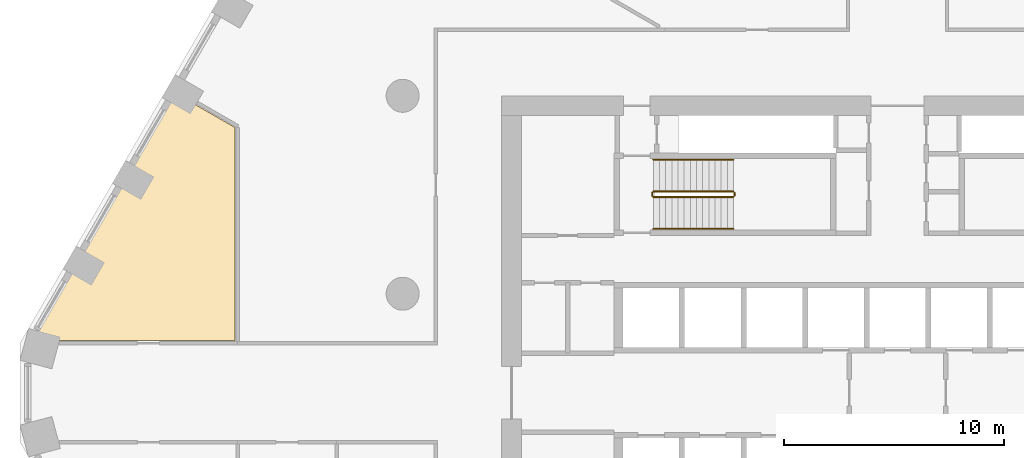
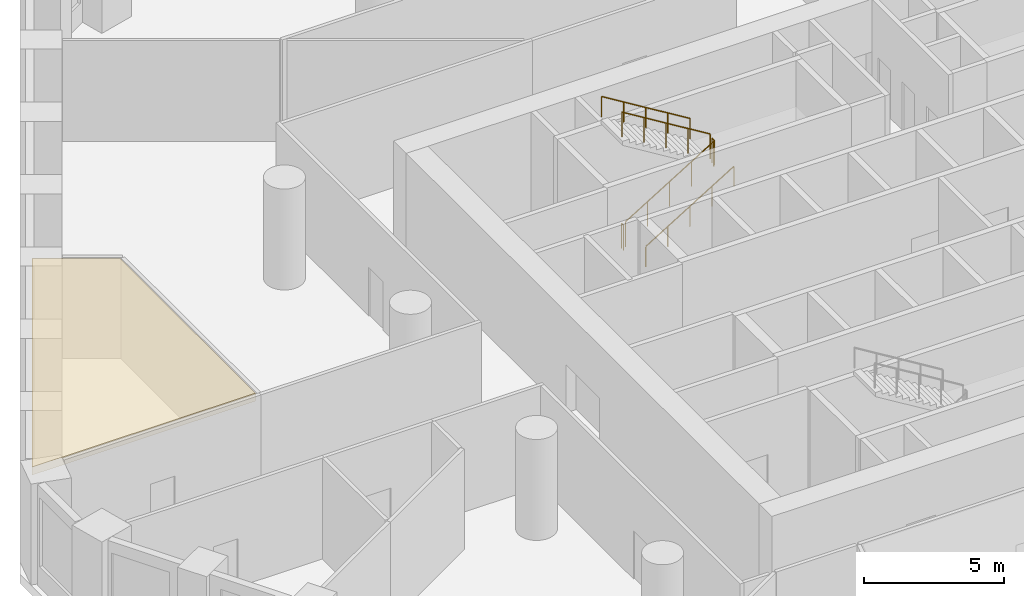
# One storey, part 20 of 26: 6 railings, 1 covering.
"""IFC4 building model written with IfcOpenShell, lengths in metres."""

from ifc_helpers import new_model, si_unit, direction, frame, origin, origin_2d, place, context, subcontext, project, spatial, polyline, circle, outline, extrude, material, layer, layer_set, type_object, element, save


model = new_model("IFC4")

# Units and contexts
model_context = context("Model", 3, precision=1e-05, world=origin(), true_north=direction((0.0, 1.0)))
body_context = subcontext(model_context, "Body", "Model", "MODEL_VIEW")
ifc_project = project(units=[si_unit("LENGTHUNIT", "METRE"), si_unit("AREAUNIT", "SQUARE_METRE"), si_unit("VOLUMEUNIT", "CUBIC_METRE"), si_unit("PLANEANGLEUNIT", "RADIAN"), si_unit("MASSUNIT", "GRAM", prefix="KILO")], contexts=[model_context])

# Site, building, storey
site_placement = place(None, origin())
site = spatial("IfcSite", under=ifc_project, at=site_placement, CompositionType="ELEMENT")
building_placement = place(site_placement, origin())
building = spatial("IfcBuilding", under=site, at=building_placement, Name="Dhurran Vertical Campus", CompositionType="ELEMENT")
storey_placement = place(building_placement, frame((0.0, 0.0, 15.60009765625)))
storey = spatial("IfcBuildingStorey", under=building, at=storey_placement, Name="L03", CompositionType="ELEMENT", Elevation=15.60009765625)

# Railings
ifc_material_1 = material(Name="Stainless steel balustrade", Category="steel")
railing_type_1 = type_object("IfcRailingType", Name="co-RL-GUARD-1100", PredefinedType="GUARDRAIL", material=ifc_material_1)
railing_1_placement = place(storey_placement, frame((-11.10009765625, 8.89990234375, 0.17138671875)))
element("IfcRailing", 1, at=railing_1_placement, inside=storey, type_object=railing_type_1, Name="L03 ST1 stair guard 1", PredefinedType="GUARDRAIL", context=body_context, shape_type="SweptSolid", body=[
    extrude(circle(Radius=0.02392578125, at=origin_2d()), frame((0.0, 0.0, 1.076171875), z_axis=(0.852865859571, 0.0, 0.52213008492), x_axis=(0.0, 1.0, 0.0)), (0.0, 0.0, 1.0), 4.26806640625),
    extrude(circle(Radius=0.02099609375, at=origin_2d()), origin(), (0.0, 0.0, 1.0), 1.052001953125),
    extrude(circle(Radius=0.02099609375, at=origin_2d()), frame((0.91015625, 0.0, 0.55712890625)), (0.0, 0.0, 1.0), 1.052001953125),
    extrude(circle(Radius=0.02099609375, at=origin_2d()), frame((1.820068359375, 0.0, 1.1142578125)), (0.0, 0.0, 1.0), 1.052001953125),
    extrude(circle(Radius=0.02099609375, at=origin_2d()), frame((2.72998046875, 0.0, 1.67138671875)), (0.0, 0.0, 1.0), 1.052001953125),
    extrude(circle(Radius=0.02099609375, at=origin_2d()), frame((3.64013671875, 0.0, 2.228515625)), (0.0, 0.0, 1.0), 1.052001953125),
])
railing_2_placement = place(storey_placement, frame((-7.409912109375, 8.949951171875, 2.39990234375)))
element("IfcRailing", 2, at=railing_2_placement, inside=storey, type_object=railing_type_1, Name="L03 ST1 stair guard 2", PredefinedType="GUARDRAIL", context=body_context, shape_type="SweptSolid", body=[
    extrude(circle(Radius=0.02392578125, at=origin_2d()), frame((0.0, 0.0, 1.076171875), z_axis=(0.0, 1.0, 0.0), x_axis=(-1.0, 0.0, 0.0)), (0.0, 0.0, 1.0), 0.150146484375),
    extrude(circle(Radius=0.02099609375, at=origin_2d()), origin(), (0.0, 0.0, 1.0), 1.052001953125),
    extrude(circle(Radius=0.02099609375, at=origin_2d()), frame((0.0, 0.150146484375, 0.0)), (0.0, 0.0, 1.0), 1.052001953125),
])
railing_3_placement = place(storey_placement, frame((-7.4599609375, 9.14990234375, 2.5712890625)))
element("IfcRailing", 3, at=railing_3_placement, inside=storey, type_object=railing_type_1, Name="L03 ST1 stair guard 3", PredefinedType="GUARDRAIL", context=body_context, shape_type="SweptSolid", body=[
    extrude(circle(Radius=0.02392578125, at=origin_2d()), frame((0.0, 0.0, 1.076171875), z_axis=(-0.852865859571, 0.0, 0.52213008492), x_axis=(0.0, -1.0, 0.0)), (0.0, 0.0, 1.0), 4.26806640625),
    extrude(circle(Radius=0.02099609375, at=origin_2d()), origin(), (0.0, 0.0, 1.0), 1.052001953125),
    extrude(circle(Radius=0.02099609375, at=origin_2d()), frame((-0.91015625, 0.0, 0.55712890625)), (0.0, 0.0, 1.0), 1.052001953125),
    extrude(circle(Radius=0.02099609375, at=origin_2d()), frame((-1.820068359375, 0.0, 1.1142578125)), (0.0, 0.0, 1.0), 1.052001953125),
    extrude(circle(Radius=0.02099609375, at=origin_2d()), frame((-2.72998046875, 0.0, 1.67138671875)), (0.0, 0.0, 1.0), 1.052001953125),
    extrude(circle(Radius=0.02099609375, at=origin_2d()), frame((-3.64013671875, 0.0, 2.228515625)), (0.0, 0.0, 1.0), 1.052001953125),
])
railing_4_placement = place(storey_placement, frame((-11.14990234375, 8.949951171875, 0.0)))
element("IfcRailing", 4, at=railing_4_placement, inside=storey, type_object=railing_type_1, Name="L03 ST1 stair guard 4", PredefinedType="GUARDRAIL", context=body_context, shape_type="SweptSolid", body=[
    extrude(circle(Radius=0.02392578125, at=origin_2d()), frame((0.0, 0.0, 1.076171875), z_axis=(0.0, 1.0, 0.0), x_axis=(-1.0, 0.0, 0.0)), (0.0, 0.0, 1.0), 0.150146484375),
    extrude(circle(Radius=0.02099609375, at=origin_2d()), origin(), (0.0, 0.0, 1.0), 1.052001953125),
    extrude(circle(Radius=0.02099609375, at=origin_2d()), frame((0.0, 0.150146484375, 0.0)), (0.0, 0.0, 1.0), 1.052001953125),
])
ifc_material_2 = material(Name="Stainless steel handrail", Category="steel")
railing_type_2 = type_object("IfcRailingType", Name="co-RL-HANDRAIL-900", PredefinedType="HANDRAIL", material=ifc_material_2)
railing_5_placement = place(storey_placement, frame((-11.10009765625, 7.449951171875, 0.17138671875)))
element("IfcRailing", 5, at=railing_5_placement, inside=storey, type_object=railing_type_2, Name="L03 ST1 stair handrail 1", PredefinedType="HANDRAIL", context=body_context, shape_type="SweptSolid", body=[
    extrude(circle(Radius=0.02392578125, at=origin_2d()), frame((0.0, 0.0, 0.8759765625), z_axis=(0.852865859571, 0.0, 0.52213008492), x_axis=(0.0, 1.0, 0.0)), (0.0, 0.0, 1.0), 4.26806640625),
    extrude(circle(Radius=0.02099609375, at=origin_2d()), origin(), (0.0, 0.0, 1.0), 0.851806640625),
    extrude(circle(Radius=0.02099609375, at=origin_2d()), frame((0.91015625, 0.0, 0.55712890625)), (0.0, 0.0, 1.0), 0.851806640625),
    extrude(circle(Radius=0.02099609375, at=origin_2d()), frame((1.820068359375, 0.0, 1.1142578125)), (0.0, 0.0, 1.0), 0.851806640625),
    extrude(circle(Radius=0.02099609375, at=origin_2d()), frame((2.72998046875, 0.0, 1.67138671875)), (0.0, 0.0, 1.0), 0.851806640625),
    extrude(circle(Radius=0.02099609375, at=origin_2d()), frame((3.64013671875, 0.0, 2.228515625)), (0.0, 0.0, 1.0), 0.851806640625),
])
railing_6_placement = place(storey_placement, frame((-7.4599609375, 10.60009765625, 2.5712890625)))
element("IfcRailing", 6, at=railing_6_placement, inside=storey, type_object=railing_type_2, Name="L03 ST1 stair handrail 2", PredefinedType="HANDRAIL", context=body_context, shape_type="SweptSolid", body=[
    extrude(circle(Radius=0.02392578125, at=origin_2d()), frame((0.0, 0.0, 0.8759765625), z_axis=(-0.852865859571, 0.0, 0.52213008492), x_axis=(0.0, -1.0, 0.0)), (0.0, 0.0, 1.0), 4.26806640625),
    extrude(circle(Radius=0.02099609375, at=origin_2d()), origin(), (0.0, 0.0, 1.0), 0.851806640625),
    extrude(circle(Radius=0.02099609375, at=origin_2d()), frame((-0.91015625, 0.0, 0.55712890625)), (0.0, 0.0, 1.0), 0.851806640625),
    extrude(circle(Radius=0.02099609375, at=origin_2d()), frame((-1.820068359375, 0.0, 1.1142578125)), (0.0, 0.0, 1.0), 0.851806640625),
    extrude(circle(Radius=0.02099609375, at=origin_2d()), frame((-2.72998046875, 0.0, 1.67138671875)), (0.0, 0.0, 1.0), 0.851806640625),
    extrude(circle(Radius=0.02099609375, at=origin_2d()), frame((-3.64013671875, 0.0, 2.228515625)), (0.0, 0.0, 1.0), 0.851806640625),
])

# Covering
ifc_material_3 = material(Name="Mineral fibre ceiling tiles on suspended grid")
ifc_layer = layer(ifc_material_3, 0.35009765625)
ifc_layer_set = layer_set([ifc_layer], Name="Mineral fibre ceiling tiles on suspended grid")
covering_type = type_object("IfcCoveringType", Name="fl-CE-350 suspended ceiling", PredefinedType="CEILING", material=ifc_layer_set)
covering_placement = place(storey_placement, frame((0.0, 0.0, 4.0498046875)))
element("IfcCovering", 7, at=covering_placement, inside=storey, type_object=covering_type, Name="Ceiling 03-05", PredefinedType="CEILING", context=body_context, shape_type="SweptSolid", body=[
    extrude(outline(polyline([(-39.343017578125, 2.3701171875), (-32.843017578125, 13.626953125), (-30.1201171875, 12.054931640625), (-30.1201171875, 2.3701171875), (-39.343017578125, 2.3701171875)])), origin(), (0.0, 0.0, 1.0), 0.35009765625),
])

save(model, "model.ifc")
